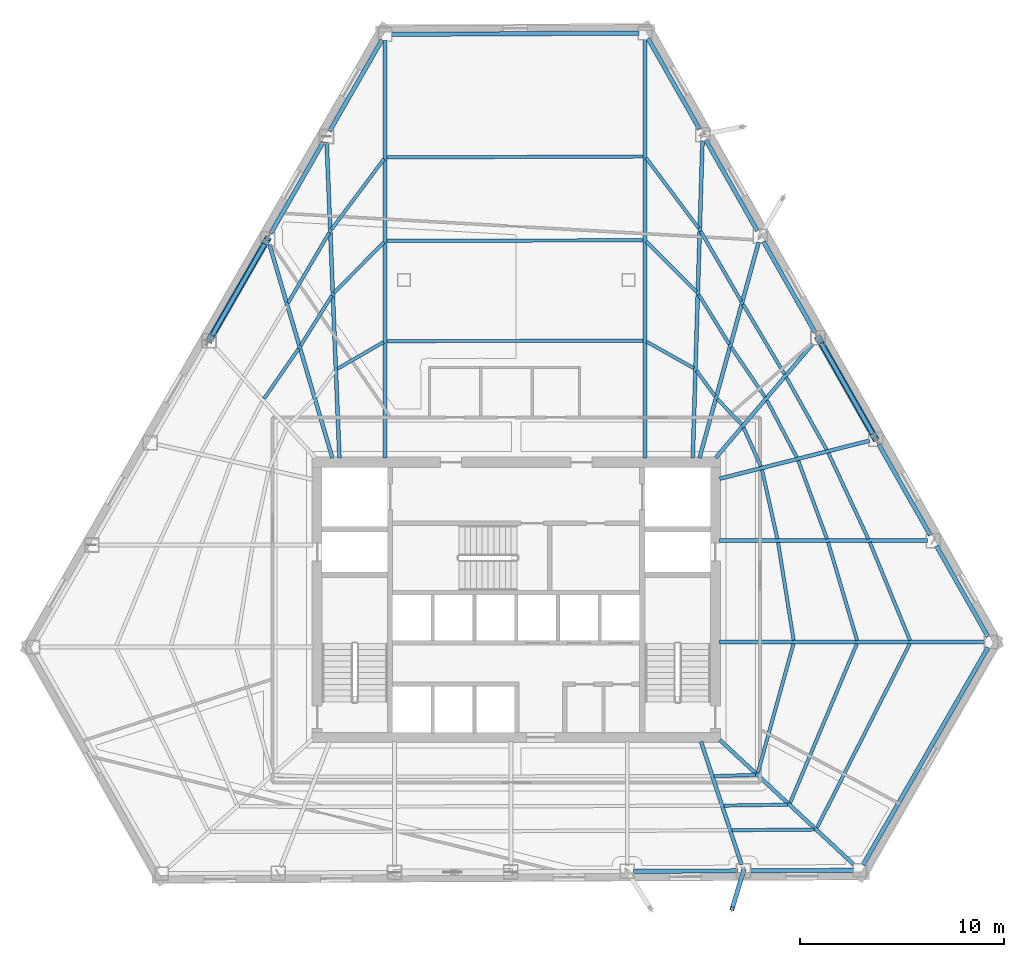
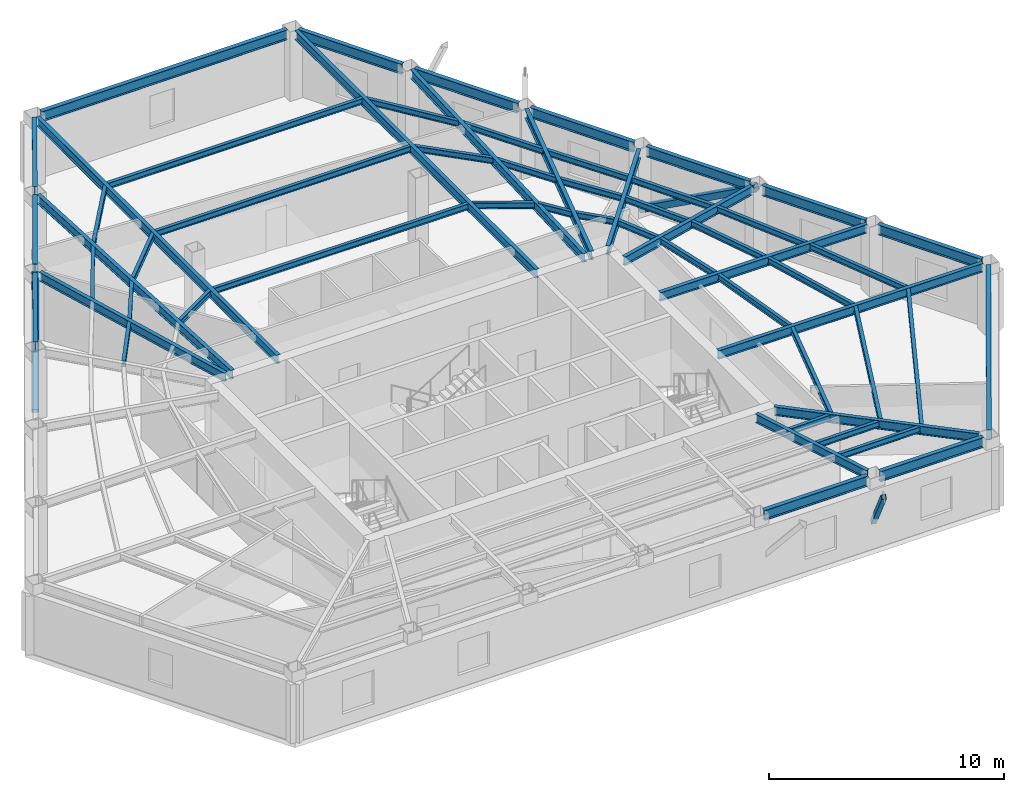
# One storey, part 2 of 13: 58 beams, 3 members.
"""IFC4 building model written with IfcOpenShell, lengths in metres."""

from ifc_helpers import new_model, si_unit, direction, frame, origin, origin_2d, place, context, subcontext, project, spatial, hollow_rectangle, i_section, extrude, material, material_profile, profile_set, type_object, element, save


model = new_model("IFC4")

# Units and contexts
model_context = context("Model", 3, precision=1e-05, world=origin(), true_north=direction((0.0, 1.0)))
body_context = subcontext(model_context, "Body", "Model", "MODEL_VIEW")
ifc_project = project(units=[si_unit("LENGTHUNIT", "METRE"), si_unit("AREAUNIT", "SQUARE_METRE"), si_unit("VOLUMEUNIT", "CUBIC_METRE"), si_unit("PLANEANGLEUNIT", "RADIAN"), si_unit("MASSUNIT", "GRAM", prefix="KILO")], contexts=[model_context])

# Site, building, storey
site_placement = place(None, origin())
site = spatial("IfcSite", under=ifc_project, at=site_placement, CompositionType="ELEMENT")
building_placement = place(site_placement, origin())
building = spatial("IfcBuilding", under=site, at=building_placement, Name="Kavelnor Concourse Tower", CompositionType="ELEMENT")
storey_placement = place(building_placement, frame((0.0, 0.0, 85.5)))
storey = spatial("IfcBuildingStorey", under=building, at=storey_placement, Name="L21", CompositionType="ELEMENT", Elevation=85.5)

# Beams
ifc_material = material(Name="Steel Grade 350", Category="steel")
ifc_material_profile_1 = material_profile(ifc_material, i_section(OverallWidth=0.166015625, OverallDepth=0.306884765625, WebThickness=0.006591796875, FlangeThickness=0.01171875, at=origin_2d()), Name="310UB46")
ifc_profile_set_1 = profile_set([ifc_material_profile_1], Name="Steel Grade 350")
beam_type_1 = type_object("IfcBeamType", Name="BM-JOIST-310", PredefinedType="JOIST", material=ifc_profile_set_1)
beam_1_placement = place(storey_placement, frame((47.71337890625, 7.452392578125, 3.446533203125), z_axis=(0.999538965759, 0.030362080445, 0.0), x_axis=(-0.030362080445, 0.999538965759, 0.0)))
element("IfcBeam", 1, at=beam_1_placement, inside=storey, type_object=beam_type_1, Name="L21 Secondary Composite Joist 07-1", PredefinedType="JOIST", context=body_context, shape_type="SweptSolid", body=[
    extrude(i_section(OverallWidth=0.166015625, OverallDepth=0.306884765625, WebThickness=0.006591796875, FlangeThickness=0.01171875, at=origin_2d()), origin(), (0.0, 0.0, 1.0), 2.0263671875),
])
beam_2_placement = place(storey_placement, frame((48.189697265625, 6.003662109375, 3.446533203125), z_axis=(0.999886255622, 0.015082301472, 0.0), x_axis=(-0.015082301472, 0.999886255622, 0.0)))
element("IfcBeam", 2, at=beam_2_placement, inside=storey, type_object=beam_type_1, Name="L21 Secondary Composite Joist 07-2", PredefinedType="JOIST", context=body_context, shape_type="SweptSolid", body=[
    extrude(i_section(OverallWidth=0.166015625, OverallDepth=0.306884765625, WebThickness=0.006591796875, FlangeThickness=0.01171875, at=origin_2d()), origin(), (0.0, 0.0, 1.0), 3.1240234375),
])
beam_3_placement = place(storey_placement, frame((48.5869140625, 4.797119140625, 3.446533203125), z_axis=(0.999964188154, 0.008463002439, 0.0), x_axis=(-0.008463002439, 0.999964188154, 0.0)))
element("IfcBeam", 3, at=beam_3_placement, inside=storey, type_object=beam_type_1, Name="L21 Secondary Composite Joist 07-3", PredefinedType="JOIST", context=body_context, shape_type="SweptSolid", body=[
    extrude(i_section(OverallWidth=0.166015625, OverallDepth=0.306884765625, WebThickness=0.006591796875, FlangeThickness=0.01171875, at=origin_2d()), origin(), (0.0, 0.0, 1.0), 4.038818359375),
])
beam_4_placement = place(storey_placement, frame((49.8515625, 7.6025390625, 3.446533203125), z_axis=(0.266075321136, 0.963952241287, 0.0), x_axis=(-0.963952241287, 0.266075321136, 0.0)))
element("IfcBeam", 4, at=beam_4_placement, inside=storey, type_object=beam_type_1, Name="L21 Secondary Composite Joist 08-1", PredefinedType="JOIST", context=body_context, shape_type="SweptSolid", body=[
    extrude(i_section(OverallWidth=0.166015625, OverallDepth=0.306884765625, WebThickness=0.006591796875, FlangeThickness=0.01171875, at=origin_2d()), origin(), (0.0, 0.0, 1.0), 6.576171875),
])
beam_5_placement = place(storey_placement, frame((51.43701171875, 6.13427734375, 3.446533203125), z_axis=(0.386951213805, 0.922100188773, 0.0), x_axis=(-0.922100188773, 0.386951213805, 0.0)))
element("IfcBeam", 5, at=beam_5_placement, inside=storey, type_object=beam_type_1, Name="L21 Secondary Composite Joist 08-2", PredefinedType="JOIST", context=body_context, shape_type="SweptSolid", body=[
    extrude(i_section(OverallWidth=0.166015625, OverallDepth=0.306884765625, WebThickness=0.006591796875, FlangeThickness=0.01171875, at=origin_2d()), origin(), (0.0, 0.0, 1.0), 8.470947265625),
])
beam_6_placement = place(storey_placement, frame((52.754638671875, 4.911376953125, 3.446533203125), z_axis=(0.450356328933, 0.892848910505, 0.0), x_axis=(-0.892848910505, 0.450356328933, 0.0)))
element("IfcBeam", 6, at=beam_6_placement, inside=storey, type_object=beam_type_1, Name="L21 Secondary Composite Joist 08-3", PredefinedType="JOIST", context=body_context, shape_type="SweptSolid", body=[
    extrude(i_section(OverallWidth=0.166015625, OverallDepth=0.306884765625, WebThickness=0.006591796875, FlangeThickness=0.01171875, at=origin_2d()), origin(), (0.0, 0.0, 1.0), 10.12109375),
])
beam_7_placement = place(storey_placement, frame((51.611083984375, 14.115478515625, 3.446533203125), z_axis=(-0.15719960241, 0.987566850903, 0.0), x_axis=(-0.987566850903, -0.15719960241, 0.0)))
element("IfcBeam", 7, at=beam_7_placement, inside=storey, type_object=beam_type_1, Name="L21 Secondary Composite Joist 09-1", PredefinedType="JOIST", context=body_context, shape_type="SweptSolid", body=[
    extrude(i_section(OverallWidth=0.166015625, OverallDepth=0.306884765625, WebThickness=0.006591796875, FlangeThickness=0.01171875, at=origin_2d()), origin(), (0.0, 0.0, 1.0), 4.8642578125),
])
beam_8_placement = place(storey_placement, frame((54.72412109375, 14.11279296875, 3.446533203125), z_axis=(-0.283441797349, 0.958989440774, 0.0), x_axis=(-0.958989440774, -0.283441797349, 0.0)))
element("IfcBeam", 8, at=beam_8_placement, inside=storey, type_object=beam_type_1, Name="L21 Secondary Composite Joist 09-2", PredefinedType="JOIST", context=body_context, shape_type="SweptSolid", body=[
    extrude(i_section(OverallWidth=0.166015625, OverallDepth=0.306884765625, WebThickness=0.006591796875, FlangeThickness=0.01171875, at=origin_2d()), origin(), (0.0, 0.0, 1.0), 5.0146484375),
])
beam_9_placement = place(storey_placement, frame((57.319091796875, 14.10986328125, 3.446533203125), z_axis=(-0.378709590515, 0.925515556894, 0.0), x_axis=(-0.925515556894, -0.378709590515, 0.0)))
element("IfcBeam", 9, at=beam_9_placement, inside=storey, type_object=beam_type_1, Name="L21 Secondary Composite Joist 09-3", PredefinedType="JOIST", context=body_context, shape_type="SweptSolid", body=[
    extrude(i_section(OverallWidth=0.166015625, OverallDepth=0.306884765625, WebThickness=0.006591796875, FlangeThickness=0.01171875, at=origin_2d()), origin(), (0.0, 0.0, 1.0), 5.202392578125),
])
beam_10_placement = place(storey_placement, frame((50.813232421875, 19.093994140625, 3.446533203125), z_axis=(-0.21715397229, 0.976137363448, 0.0), x_axis=(-0.976137363448, -0.21715397229, 0.0)))
element("IfcBeam", 10, at=beam_10_placement, inside=storey, type_object=beam_type_1, Name="L21 Secondary Composite Joist 10-1", PredefinedType="JOIST", context=body_context, shape_type="SweptSolid", body=[
    extrude(i_section(OverallWidth=0.166015625, OverallDepth=0.306884765625, WebThickness=0.006591796875, FlangeThickness=0.01171875, at=origin_2d()), origin(), (0.0, 0.0, 1.0), 3.469482421875),
])
beam_11_placement = place(storey_placement, frame((53.246826171875, 19.0908203125, 3.446533203125), z_axis=(-0.34470694701, 0.938710349726, 0.0), x_axis=(-0.938710349726, -0.34470694701, 0.0)))
element("IfcBeam", 11, at=beam_11_placement, inside=storey, type_object=beam_type_1, Name="L21 Secondary Composite Joist 10-2", PredefinedType="JOIST", context=body_context, shape_type="SweptSolid", body=[
    extrude(i_section(OverallWidth=0.166015625, OverallDepth=0.306884765625, WebThickness=0.006591796875, FlangeThickness=0.01171875, at=origin_2d()), origin(), (0.0, 0.0, 1.0), 4.091552734375),
])
beam_12_placement = place(storey_placement, frame((55.277587890625, 19.087890625, 3.446533203125), z_axis=(-0.421857117619, 0.906662325408, 0.0), x_axis=(-0.906662325408, -0.421857117619, 0.0)))
element("IfcBeam", 12, at=beam_12_placement, inside=storey, type_object=beam_type_1, Name="L21 Secondary Composite Joist 10-3", PredefinedType="JOIST", context=body_context, shape_type="SweptSolid", body=[
    extrude(i_section(OverallWidth=0.166015625, OverallDepth=0.306884765625, WebThickness=0.006591796875, FlangeThickness=0.01171875, at=origin_2d()), origin(), (0.0, 0.0, 1.0), 4.654052734375),
])
beam_13_placement = place(storey_placement, frame((50.00439453125, 22.648681640625, 3.446533203125), z_axis=(-0.407582846718, 0.913168233712, 0.0), x_axis=(-0.913168233712, -0.407582846718, 0.0)))
element("IfcBeam", 13, at=beam_13_placement, inside=storey, type_object=beam_type_1, Name="L21 Secondary Composite Joist 11-1", PredefinedType="JOIST", context=body_context, shape_type="SweptSolid", body=[
    extrude(i_section(OverallWidth=0.166015625, OverallDepth=0.306884765625, WebThickness=0.006591796875, FlangeThickness=0.01171875, at=origin_2d()), origin(), (0.0, 0.0, 1.0), 2.085205078125),
])
beam_14_placement = place(storey_placement, frame((51.7646484375, 23.093994140625, 3.446533203125), z_axis=(-0.462898520648, 0.886411281281, 0.0), x_axis=(-0.886411281281, -0.462898520648, 0.0)))
element("IfcBeam", 14, at=beam_14_placement, inside=storey, type_object=beam_type_1, Name="L21 Secondary Composite Joist 11-2", PredefinedType="JOIST", context=body_context, shape_type="SweptSolid", body=[
    extrude(i_section(OverallWidth=0.166015625, OverallDepth=0.306884765625, WebThickness=0.006591796875, FlangeThickness=0.01171875, at=origin_2d()), origin(), (0.0, 0.0, 1.0), 3.161376953125),
])
beam_15_placement = place(storey_placement, frame((53.2333984375, 23.466064453125, 3.446533203125), z_axis=(-0.486948440203, 0.873430716533, 0.0), x_axis=(-0.873430716533, -0.486948440203, 0.0)))
element("IfcBeam", 15, at=beam_15_placement, inside=storey, type_object=beam_type_1, Name="L21 Secondary Composite Joist 11-3", PredefinedType="JOIST", context=body_context, shape_type="SweptSolid", body=[
    extrude(i_section(OverallWidth=0.166015625, OverallDepth=0.306884765625, WebThickness=0.006591796875, FlangeThickness=0.01171875, at=origin_2d()), origin(), (0.0, 0.0, 1.0), 4.06298828125),
])
beam_16_placement = place(storey_placement, frame((49.05712890625, 24.69873046875, 3.446533203125), z_axis=(-0.686330023268, 0.727290244099, 0.0), x_axis=(-0.727290244099, -0.686330023268, 0.0)))
element("IfcBeam", 16, at=beam_16_placement, inside=storey, type_object=beam_type_1, Name="L21 Secondary Composite Joist 12-1", PredefinedType="JOIST", context=body_context, shape_type="SweptSolid", body=[
    extrude(i_section(OverallWidth=0.166015625, OverallDepth=0.306884765625, WebThickness=0.006591796875, FlangeThickness=0.01171875, at=origin_2d()), origin(), (0.0, 0.0, 1.0), 1.734375),
])
beam_17_placement = place(storey_placement, frame((50.2099609375, 26.048583984375, 3.446533203125), z_axis=(-0.561665208661, 0.82736460728, 0.0), x_axis=(-0.82736460728, -0.561665208661, 0.0)))
element("IfcBeam", 17, at=beam_17_placement, inside=storey, type_object=beam_type_1, Name="L21 Secondary Composite Joist 12-2", PredefinedType="JOIST", context=body_context, shape_type="SweptSolid", body=[
    extrude(i_section(OverallWidth=0.166015625, OverallDepth=0.306884765625, WebThickness=0.006591796875, FlangeThickness=0.01171875, at=origin_2d()), origin(), (0.0, 0.0, 1.0), 2.952392578125),
])
beam_18_placement = place(storey_placement, frame((51.166015625, 27.169189453125, 3.446533203125), z_axis=(-0.510274696382, 0.860011473315, 0.0), x_axis=(-0.860011473315, -0.510274696382, 0.0)))
element("IfcBeam", 18, at=beam_18_placement, inside=storey, type_object=beam_type_1, Name="L21 Secondary Composite Joist 12-3", PredefinedType="JOIST", context=body_context, shape_type="SweptSolid", body=[
    extrude(i_section(OverallWidth=0.166015625, OverallDepth=0.306884765625, WebThickness=0.006591796875, FlangeThickness=0.01171875, at=origin_2d()), origin(), (0.0, 0.0, 1.0), 3.9951171875),
])
beam_19_placement = place(storey_placement, frame((47.75341796875, 26.096923828125, 3.446533203125), z_axis=(-0.587117888537, 0.809501442223, 0.0), x_axis=(-0.809501442223, -0.587117888537, 0.0)))
element("IfcBeam", 19, at=beam_19_placement, inside=storey, type_object=beam_type_1, Name="L21 Secondary Composite Joist 13-1", PredefinedType="JOIST", context=body_context, shape_type="SweptSolid", body=[
    extrude(i_section(OverallWidth=0.166015625, OverallDepth=0.306884765625, WebThickness=0.006591796875, FlangeThickness=0.01171875, at=origin_2d()), origin(), (0.0, 0.0, 1.0), 1.54345703125),
])
beam_20_placement = place(storey_placement, frame((48.455078125, 28.640625, 3.446533203125), z_axis=(-0.523835639231, 0.851819360587, 0.0), x_axis=(-0.851819360587, -0.523835639231, 0.0)))
element("IfcBeam", 20, at=beam_20_placement, inside=storey, type_object=beam_type_1, Name="L21 Secondary Composite Joist 13-2", PredefinedType="JOIST", context=body_context, shape_type="SweptSolid", body=[
    extrude(i_section(OverallWidth=0.166015625, OverallDepth=0.306884765625, WebThickness=0.006591796875, FlangeThickness=0.01171875, at=origin_2d()), origin(), (0.0, 0.0, 1.0), 2.862060546875),
])
beam_21_placement = place(storey_placement, frame((49.037353515625, 30.758544921875, 3.446533203125), z_axis=(-0.501320111605, 0.865261894284, 0.0), x_axis=(-0.865261894284, -0.501320111605, 0.0)))
element("IfcBeam", 21, at=beam_21_placement, inside=storey, type_object=beam_type_1, Name="L21 Secondary Composite Joist 13-3", PredefinedType="JOIST", context=body_context, shape_type="SweptSolid", body=[
    extrude(i_section(OverallWidth=0.166015625, OverallDepth=0.306884765625, WebThickness=0.006591796875, FlangeThickness=0.01171875, at=origin_2d()), origin(), (0.0, 0.0, 1.0), 3.966552734375),
])
beam_22_placement = place(storey_placement, frame((46.71728515625, 27.462158203125, 3.446533203125), z_axis=(-0.871504591217, 0.490387344338, 0.0), x_axis=(-0.490387344338, -0.871504591217, 0.0)))
element("IfcBeam", 22, at=beam_22_placement, inside=storey, type_object=beam_type_1, Name="L21 Secondary Composite Joist 14-1", PredefinedType="JOIST", context=body_context, shape_type="SweptSolid", body=[
    extrude(i_section(OverallWidth=0.166015625, OverallDepth=0.306884765625, WebThickness=0.006591796875, FlangeThickness=0.01171875, at=origin_2d()), origin(), (0.0, 0.0, 1.0), 2.66552734375),
])
beam_23_placement = place(storey_placement, frame((46.84619140625, 31.21728515625, 3.446533203125), z_axis=(-0.70752684451, 0.706686468173, 0.0), x_axis=(-0.706686468173, -0.70752684451, 0.0)))
element("IfcBeam", 23, at=beam_23_placement, inside=storey, type_object=beam_type_1, Name="L21 Secondary Composite Joist 14-2", PredefinedType="JOIST", context=body_context, shape_type="SweptSolid", body=[
    extrude(i_section(OverallWidth=0.166015625, OverallDepth=0.306884765625, WebThickness=0.006591796875, FlangeThickness=0.01171875, at=origin_2d()), origin(), (0.0, 0.0, 1.0), 3.486083984375),
])
beam_24_placement = place(storey_placement, frame((46.950927734375, 34.3388671875, 3.446533203125), z_axis=(-0.59980025593, 0.800149769097, 0.0), x_axis=(-0.800149769097, -0.59980025593, 0.0)))
element("IfcBeam", 24, at=beam_24_placement, inside=storey, type_object=beam_type_1, Name="L21 Secondary Composite Joist 14-3", PredefinedType="JOIST", context=body_context, shape_type="SweptSolid", body=[
    extrude(i_section(OverallWidth=0.166015625, OverallDepth=0.306884765625, WebThickness=0.006591796875, FlangeThickness=0.01171875, at=origin_2d()), origin(), (0.0, 0.0, 1.0), 4.302734375),
])
for number, where, z_axis, x_axis, name in (
    (25, (44.2275390625, 28.812744140625, 3.446533203125), (-0.999999022186, -0.001398437043, 0.0), (0.001398437043, -0.999999022186, 0.0), "L21 Secondary Composite Joist 15-1"),
    (26, (44.2275390625, 33.74365234375, 3.446533203125), (-0.999996663487, -0.002583217889, 0.0), (0.002583217889, -0.999996663487, 0.0), "L21 Secondary Composite Joist 15-2"),
    (27, (44.2275390625, 37.852783203125, 3.446533203125), (-0.999993544484, -0.003593186609, 0.0), (0.003593186609, -0.999993544484, 0.0), "L21 Secondary Composite Joist 15-3"),
):
    element("IfcBeam", number, at=place(storey_placement, frame(where, z_axis=z_axis, x_axis=x_axis)), inside=storey, type_object=beam_type_1, Name=name, PredefinedType="JOIST", context=body_context, shape_type="SweptSolid", body=[
        extrude(i_section(OverallWidth=0.166015625, OverallDepth=0.306884765625, WebThickness=0.006591796875, FlangeThickness=0.01171875, at=origin_2d()), origin(), (0.0, 0.0, 1.0), 12.56982421875),
    ])
beam_25_placement = place(storey_placement, frame((31.49169921875, 28.75048828125, 3.446533203125), z_axis=(-0.865010950482, -0.501752982598, 0.0), x_axis=(0.501752982598, -0.865010950482, 0.0)))
element("IfcBeam", 28, at=beam_25_placement, inside=storey, type_object=beam_type_1, Name="L21 Secondary Composite Joist 16-1", PredefinedType="JOIST", context=body_context, shape_type="SweptSolid", body=[
    extrude(i_section(OverallWidth=0.166015625, OverallDepth=0.306884765625, WebThickness=0.006591796875, FlangeThickness=0.01171875, at=origin_2d()), origin(), (0.0, 0.0, 1.0), 2.61767578125),
])
beam_26_placement = place(storey_placement, frame((31.506103515625, 33.6474609375, 3.446533203125), z_axis=(-0.702073180725, -0.712104801912, 0.0), x_axis=(0.712104801912, -0.702073180725, 0.0)))
element("IfcBeam", 29, at=beam_26_placement, inside=storey, type_object=beam_type_1, Name="L21 Secondary Composite Joist 16-2", PredefinedType="JOIST", context=body_context, shape_type="SweptSolid", body=[
    extrude(i_section(OverallWidth=0.166015625, OverallDepth=0.306884765625, WebThickness=0.006591796875, FlangeThickness=0.01171875, at=origin_2d()), origin(), (0.0, 0.0, 1.0), 3.480224609375),
])
beam_27_placement = place(storey_placement, frame((31.515380859375, 37.736083984375, 3.446533203125), z_axis=(-0.598309052868, -0.801265422477, 0.0), x_axis=(0.801265422477, -0.598309052868, 0.0)))
element("IfcBeam", 30, at=beam_27_placement, inside=storey, type_object=beam_type_1, Name="L21 Secondary Composite Joist 16-3", PredefinedType="JOIST", context=body_context, shape_type="SweptSolid", body=[
    extrude(i_section(OverallWidth=0.166015625, OverallDepth=0.306884765625, WebThickness=0.006591796875, FlangeThickness=0.01171875, at=origin_2d()), origin(), (0.0, 0.0, 1.0), 4.3232421875),
])
beam_28_placement = place(storey_placement, frame((28.953125, 31.030517578125, 3.446533203125), z_axis=(-0.528996872654, -0.848623773366, 0.0), x_axis=(0.848623773366, -0.528996872654, 0.0)))
element("IfcBeam", 31, at=beam_28_placement, inside=storey, type_object=beam_type_1, Name="L21 Secondary Composite Joist 17-2", PredefinedType="JOIST", context=body_context, shape_type="SweptSolid", body=[
    extrude(i_section(OverallWidth=0.166015625, OverallDepth=0.306884765625, WebThickness=0.006591796875, FlangeThickness=0.01171875, at=origin_2d()), origin(), (0.0, 0.0, 1.0), 2.891845703125),
])
beam_29_placement = place(storey_placement, frame((28.830322265625, 34.123779296875, 3.446533203125), z_axis=(-0.50582590056, -0.86263558837, 0.0), x_axis=(0.86263558837, -0.50582590056, 0.0)))
element("IfcBeam", 32, at=beam_29_placement, inside=storey, type_object=beam_type_1, Name="L21 Secondary Composite Joist 17-3", PredefinedType="JOIST", context=body_context, shape_type="SweptSolid", body=[
    extrude(i_section(OverallWidth=0.166015625, OverallDepth=0.306884765625, WebThickness=0.006591796875, FlangeThickness=0.01171875, at=origin_2d()), origin(), (0.0, 0.0, 1.0), 4.004150390625),
])
beam_30_placement = place(storey_placement, frame((27.32568359375, 28.427734375, 3.446533203125), z_axis=(-0.568772519164, -0.822494876242, 0.0), x_axis=(0.822494876242, -0.568772519164, 0.0)))
element("IfcBeam", 33, at=beam_30_placement, inside=storey, type_object=beam_type_1, Name="L21 Secondary Composite Joist 18-2", PredefinedType="JOIST", context=body_context, shape_type="SweptSolid", body=[
    extrude(i_section(OverallWidth=0.166015625, OverallDepth=0.306884765625, WebThickness=0.006591796875, FlangeThickness=0.01171875, at=origin_2d()), origin(), (0.0, 0.0, 1.0), 2.98974609375),
])
ifc_material_profile_2 = material_profile(ifc_material, i_section(OverallWidth=0.18994140625, OverallDepth=0.4541015625, WebThickness=0.008544921875, FlangeThickness=0.0126953125, at=origin_2d()), Name="460UB67")
ifc_profile_set_2 = profile_set([ifc_material_profile_2], Name="Steel Grade 350")
beam_type_2 = type_object("IfcBeamType", Name="BM-PRIMARY-460", PredefinedType="BEAM", material=ifc_profile_set_2)
beam_31_placement = place(storey_placement, frame((31.568603515625, 23.06005859375, 3.373046875), z_axis=(0.0, 1.0, 0.0), x_axis=(-1.0, 0.0, 0.0)))
element("IfcBeam", 34, at=beam_31_placement, inside=storey, type_object=beam_type_2, Name="L21 Primary Floor Girder F0-B0", PredefinedType="BEAM", context=body_context, shape_type="SweptSolid", body=[
    extrude(i_section(OverallWidth=0.18994140625, OverallDepth=0.4541015625, WebThickness=0.008544921875, FlangeThickness=0.0126953125, at=origin_2d()), origin(), (0.0, 0.0, 1.0), 20.482421875),
])
beam_32_placement = place(storey_placement, frame((29.3251953125, 23.06005859375, 3.373046875), z_axis=(-0.040344549787, 0.999185827213, 0.0), x_axis=(-0.999185827213, -0.040344549787, 0.0)))
element("IfcBeam", 35, at=beam_32_placement, inside=storey, type_object=beam_type_2, Name="L21 Primary Floor Girder F0-B1", PredefinedType="BEAM", context=body_context, shape_type="SweptSolid", body=[
    extrude(i_section(OverallWidth=0.18994140625, OverallDepth=0.4541015625, WebThickness=0.008544921875, FlangeThickness=0.0126953125, at=origin_2d()), origin(), (0.0, 0.0, 1.0), 15.485595703125),
])
beam_33_placement = place(storey_placement, frame((28.978759765625, 23.0615234375, 3.373046875), z_axis=(-0.282609928199, 0.959234918299, 0.0), x_axis=(-0.959234918299, -0.282609928199, 0.0)))
element("IfcBeam", 36, at=beam_33_placement, inside=storey, type_object=beam_type_2, Name="L21 Primary Floor Girder F0-B2", PredefinedType="BEAM", context=body_context, shape_type="SweptSolid", body=[
    extrude(i_section(OverallWidth=0.18994140625, OverallDepth=0.4541015625, WebThickness=0.008544921875, FlangeThickness=0.0126953125, at=origin_2d()), origin(), (0.0, 0.0, 1.0), 10.90478515625),
])
beam_34_placement = place(storey_placement, frame((47.068359375, 9.137939453125, 3.373046875), z_axis=(0.312764599923, -0.94983067177, 0.0), x_axis=(0.94983067177, 0.312764599923, 0.0)))
element("IfcBeam", 37, at=beam_34_placement, inside=storey, type_object=beam_type_2, Name="L21 Primary Floor Girder F1-B5", PredefinedType="BEAM", context=body_context, shape_type="SweptSolid", body=[
    extrude(i_section(OverallWidth=0.18994140625, OverallDepth=0.4541015625, WebThickness=0.008544921875, FlangeThickness=0.0126953125, at=origin_2d()), origin(), (0.0, 0.0, 1.0), 6.3486328125),
])
beam_35_placement = place(storey_placement, frame((47.99072265625, 9.22509765625, 3.373046875), z_axis=(0.732269212246, -0.681015272072, 0.0), x_axis=(0.681015272072, 0.732269212246, 0.0)))
element("IfcBeam", 38, at=beam_35_placement, inside=storey, type_object=beam_type_2, Name="L21 Primary Floor Girder F1-B6", PredefinedType="BEAM", context=body_context, shape_type="SweptSolid", body=[
    extrude(i_section(OverallWidth=0.18994140625, OverallDepth=0.4541015625, WebThickness=0.008544921875, FlangeThickness=0.0126953125, at=origin_2d()), origin(), (0.0, 0.0, 1.0), 8.9599609375),
])
beam_36_placement = place(storey_placement, frame((47.97998046875, 14.027587890625, 3.373046875), z_axis=(1.0, 0.0, 0.0), x_axis=(0.0, 1.0, 0.0)))
element("IfcBeam", 39, at=beam_36_placement, inside=storey, type_object=beam_type_2, Name="L21 Primary Floor Girder F2-B0", PredefinedType="BEAM", context=body_context, shape_type="SweptSolid", body=[
    extrude(i_section(OverallWidth=0.18994140625, OverallDepth=0.4541015625, WebThickness=0.008544921875, FlangeThickness=0.0126953125, at=origin_2d()), origin(), (0.0, 0.0, 1.0), 13.017822265625),
])
beam_37_placement = place(storey_placement, frame((47.97998046875, 19.007080078125, 3.373046875), z_axis=(1.0, 0.0, 0.0), x_axis=(0.0, 1.0, 0.0)))
element("IfcBeam", 40, at=beam_37_placement, inside=storey, type_object=beam_type_2, Name="L21 Primary Floor Girder F2-B1", PredefinedType="BEAM", context=body_context, shape_type="SweptSolid", body=[
    extrude(i_section(OverallWidth=0.18994140625, OverallDepth=0.4541015625, WebThickness=0.008544921875, FlangeThickness=0.0126953125, at=origin_2d()), origin(), (0.0, 0.0, 1.0), 10.1875),
])
beam_38_placement = place(storey_placement, frame((47.981201171875, 22.045166015625, 3.373046875), z_axis=(0.969307850569, 0.245850138956, 0.0), x_axis=(-0.245850138956, 0.969307850569, 0.0)))
element("IfcBeam", 41, at=beam_38_placement, inside=storey, type_object=beam_type_2, Name="L21 Primary Floor Girder F2-B2", PredefinedType="BEAM", context=body_context, shape_type="SweptSolid", body=[
    extrude(i_section(OverallWidth=0.18994140625, OverallDepth=0.4541015625, WebThickness=0.008544921875, FlangeThickness=0.0126953125, at=origin_2d()), origin(), (0.0, 0.0, 1.0), 7.587890625),
])
beam_39_placement = place(storey_placement, frame((47.7861328125, 23.069580078125, 3.373046875), z_axis=(0.648286506623, 0.76139648366, 0.0), x_axis=(-0.76139648366, 0.648286506623, 0.0)))
element("IfcBeam", 42, at=beam_39_placement, inside=storey, type_object=beam_type_2, Name="L21 Primary Floor Girder F2-B3", PredefinedType="BEAM", context=body_context, shape_type="SweptSolid", body=[
    extrude(i_section(OverallWidth=0.18994140625, OverallDepth=0.4541015625, WebThickness=0.008544921875, FlangeThickness=0.0126953125, at=origin_2d()), origin(), (0.0, 0.0, 1.0), 7.338623046875),
])
beam_40_placement = place(storey_placement, frame((46.9931640625, 23.061279296875, 3.373046875), z_axis=(0.264359589901, 0.964424184282, 0.0), x_axis=(-0.964424184282, 0.264359589901, 0.0)))
element("IfcBeam", 43, at=beam_40_placement, inside=storey, type_object=beam_type_2, Name="L21 Primary Floor Girder F2-B4", PredefinedType="BEAM", context=body_context, shape_type="SweptSolid", body=[
    extrude(i_section(OverallWidth=0.18994140625, OverallDepth=0.4541015625, WebThickness=0.008544921875, FlangeThickness=0.0126953125, at=origin_2d()), origin(), (0.0, 0.0, 1.0), 10.97412109375),
])
beam_41_placement = place(storey_placement, frame((46.66162109375, 23.06005859375, 3.373046875), z_axis=(0.03056962386, 0.999532639836, 0.0), x_axis=(-0.999532639836, 0.03056962386, 0.0)))
element("IfcBeam", 44, at=beam_41_placement, inside=storey, type_object=beam_type_2, Name="L21 Primary Floor Girder F2-B5", PredefinedType="BEAM", context=body_context, shape_type="SweptSolid", body=[
    extrude(i_section(OverallWidth=0.18994140625, OverallDepth=0.4541015625, WebThickness=0.008544921875, FlangeThickness=0.0126953125, at=origin_2d()), origin(), (0.0, 0.0, 1.0), 15.573486328125),
])
beam_42_placement = place(storey_placement, frame((44.316650390625, 23.06005859375, 3.373046875), z_axis=(0.0, 1.0, 0.0), x_axis=(-1.0, 0.0, 0.0)))
element("IfcBeam", 45, at=beam_42_placement, inside=storey, type_object=beam_type_2, Name="L21 Primary Floor Girder F2-B6", PredefinedType="BEAM", context=body_context, shape_type="SweptSolid", body=[
    extrude(i_section(OverallWidth=0.18994140625, OverallDepth=0.4541015625, WebThickness=0.008544921875, FlangeThickness=0.0126953125, at=origin_2d()), origin(), (0.0, 0.0, 1.0), 20.5458984375),
])
ifc_material_profile_3 = material_profile(ifc_material, i_section(OverallWidth=0.208984375, OverallDepth=0.532958984375, WebThickness=0.01025390625, FlangeThickness=0.015625, at=origin_2d()), Name="530UB92")
ifc_profile_set_3 = profile_set([ifc_material_profile_3], Name="Steel Grade 350")
beam_type_3 = type_object("IfcBeamType", Name="BM-SPANDREL-Z2", PredefinedType="SPANDREL", material=ifc_profile_set_3)
for number, where, z_axis, x_axis, name in (
    (46, (31.41650390625, 43.578125, 3.33349609375), (-0.498436512075, -0.866926204143, 0.0), (0.866926204143, -0.498436512075, 0.0), "L21 Perimeter Tube Spandrel Beam F0-B0"),
    (47, (28.536376953125, 38.568603515625, 3.33349609375), (-0.498436512075, -0.866926204143, 0.0), (0.866926204143, -0.498436512075, 0.0), "L21 Perimeter Tube Spandrel Beam F0-B1"),
    (48, (25.656005859375, 33.55908203125, 3.33349609375), (-0.498436512075, -0.866926204143, 0.0), (0.866926204143, -0.498436512075, 0.0), "L21 Perimeter Tube Spandrel Beam F0-B2"),
):
    element("IfcBeam", number, at=place(storey_placement, frame(where, z_axis=z_axis, x_axis=x_axis)), inside=storey, type_object=beam_type_3, Name=name, PredefinedType="SPANDREL", context=body_context, shape_type="SweptSolid", body=[
        extrude(i_section(OverallWidth=0.208984375, OverallDepth=0.532958984375, WebThickness=0.01025390625, FlangeThickness=0.015625, at=origin_2d()), origin(), (0.0, 0.0, 1.0), 5.16845703125),
    ])
beam_43_placement = place(storey_placement, frame((44.01171875, 43.904296875, 3.33349609375), z_axis=(-0.999987659619, -0.004967958323, 0.0), x_axis=(0.004967958323, -0.999987659619, 0.0)))
element("IfcBeam", 49, at=beam_43_placement, inside=storey, type_object=beam_type_3, Name="L21 Chamfer Facet Spandrel Beam C0", PredefinedType="SPANDREL", context=body_context, shape_type="SweptSolid", body=[
    extrude(i_section(OverallWidth=0.208984375, OverallDepth=0.532958984375, WebThickness=0.01025390625, FlangeThickness=0.015625, at=origin_2d()), origin(), (0.0, 0.0, 1.0), 12.138427734375),
])
for number, where, z_axis, x_axis, name in (
    (50, (43.749267578125, 2.779052734375, 3.33349609375), (0.999987602958, 0.004979350316, 0.0), (-0.004979350316, 0.999987602958, 0.0), "L21 Perimeter Tube Spandrel Beam F1-B4"),
    (51, (49.458251953125, 2.8076171875, 3.33349609375), (0.999987602958, 0.004979350316, 0.0), (-0.004979350316, 0.999987602958, 0.0), "L21 Perimeter Tube Spandrel Beam F1-B5"),
):
    element("IfcBeam", number, at=place(storey_placement, frame(where, z_axis=z_axis, x_axis=x_axis)), inside=storey, type_object=beam_type_3, Name=name, PredefinedType="SPANDREL", context=body_context, shape_type="SweptSolid", body=[
        extrude(i_section(OverallWidth=0.208984375, OverallDepth=0.532958984375, WebThickness=0.01025390625, FlangeThickness=0.015625, at=origin_2d()), origin(), (0.0, 0.0, 1.0), 5.09912109375),
    ])
for number, where, z_axis, x_axis, name in (
    (52, (61.147216796875, 14.292724609375, 3.33349609375), (-0.494133984597, 0.869385763207, 0.0), (-0.869385763207, -0.494133984597, 0.0), "L21 Perimeter Tube Spandrel Beam F2-B0"),
    (53, (58.31689453125, 19.2724609375, 3.33349609375), (-0.494133984597, 0.869385763207, 0.0), (-0.869385763207, -0.494133984597, 0.0), "L21 Perimeter Tube Spandrel Beam F2-B1"),
    (54, (55.48681640625, 24.252197265625, 3.33349609375), (-0.494133984597, 0.869385763207, 0.0), (-0.869385763207, -0.494133984597, 0.0), "L21 Perimeter Tube Spandrel Beam F2-B2"),
    (55, (52.656494140625, 29.23193359375, 3.33349609375), (-0.494133984597, 0.869385763207, 0.0), (-0.869385763207, -0.494133984597, 0.0), "L21 Perimeter Tube Spandrel Beam F2-B3"),
    (56, (49.826416015625, 34.211669921875, 3.33349609375), (-0.494133984597, 0.869385763207, 0.0), (-0.869385763207, -0.494133984597, 0.0), "L21 Perimeter Tube Spandrel Beam F2-B4"),
    (57, (46.99609375, 39.19140625, 3.33349609375), (-0.494133984597, 0.869385763207, 0.0), (-0.869385763207, -0.494133984597, 0.0), "L21 Perimeter Tube Spandrel Beam F2-B5"),
):
    element("IfcBeam", number, at=place(storey_placement, frame(where, z_axis=z_axis, x_axis=x_axis)), inside=storey, type_object=beam_type_3, Name=name, PredefinedType="SPANDREL", context=body_context, shape_type="SweptSolid", body=[
        extrude(i_section(OverallWidth=0.208984375, OverallDepth=0.532958984375, WebThickness=0.01025390625, FlangeThickness=0.015625, at=origin_2d()), origin(), (0.0, 0.0, 1.0), 5.11767578125),
    ])
beam_44_placement = place(storey_placement, frame((55.014404296875, 3.098876953125, 3.33349609375), z_axis=(0.498432716608, 0.866928386324, 0.0), x_axis=(-0.866928386324, 0.498432716608, 0.0)))
element("IfcBeam", 58, at=beam_44_placement, inside=storey, type_object=beam_type_3, Name="L21 Chamfer Facet Spandrel Beam C2", PredefinedType="SPANDREL", context=body_context, shape_type="SweptSolid", body=[
    extrude(i_section(OverallWidth=0.208984375, OverallDepth=0.532958984375, WebThickness=0.01025390625, FlangeThickness=0.015625, at=origin_2d()), origin(), (0.0, 0.0, 1.0), 12.30126953125),
])

# Members
ifc_material_profile_4 = material_profile(ifc_material, hollow_rectangle(XDim=0.219970703125, YDim=0.219970703125, WallThickness=0.013916015625, at=origin_2d()), Name="SHS 220x220x14")
ifc_profile_set_4 = profile_set([ifc_material_profile_4], Name="Steel Grade 350")
member_type_1 = type_object("IfcMemberType", Name="MBR-BALC-STRUT-220", PredefinedType="STRUT", material=ifc_profile_set_4)
member_1_placement = place(storey_placement, frame((49.1533203125, 2.805908203125, 1.050048828125), z_axis=(-0.171045826039, -0.571005599642, 0.802929592538), x_axis=(0.957944341459, -0.286954070656, 0.0)))
element("IfcMember", 59, at=member_1_placement, inside=storey, type_object=member_type_1, Name="L21 Tree Balcony Raking Knee Strut 1-B", PredefinedType="STRUT", context=body_context, shape_type="SweptSolid", body=[
    extrude(hollow_rectangle(XDim=0.219970703125, YDim=0.219970703125, WallThickness=0.013916015625, at=origin_2d()), origin(), (0.0, 0.0, 1.0), 3.244384765625),
])
ifc_material_profile_5 = material_profile(ifc_material, hollow_rectangle(XDim=0.320068359375, YDim=0.320068359375, WallThickness=0.01806640625, at=origin_2d()), Name="SHS 320x320x18")
ifc_profile_set_5 = profile_set([ifc_material_profile_5], Name="Steel Grade 350")
member_type_2 = type_object("IfcMemberType", Name="MBR-TUBE-DIAG-Z2", PredefinedType="BRACE", material=ifc_profile_set_5)
member_2_placement = place(storey_placement, frame((22.927978515625, 28.81396484375, 0.219970703125), z_axis=(0.438784439692, 0.763195551245, 0.474342456505), x_axis=(-0.866932318806, 0.498425876746, 0.0)))
element("IfcMember", 60, at=member_2_placement, inside=storey, type_object=member_type_2, Name="L21 Framed-Tube Bracing Diagonal F0-B2", PredefinedType="BRACE", context=body_context, shape_type="SweptSolid", body=[
    extrude(hollow_rectangle(XDim=0.320068359375, YDim=0.320068359375, WallThickness=0.01806640625, at=origin_2d()), origin(), (0.0, 0.0, 1.0), 6.56396484375),
])
member_3_placement = place(storey_placement, frame((52.80712890625, 28.966796875, 0.219970703125), z_axis=(0.434138652346, -0.763833873191, 0.477578731421), x_axis=(0.869387063357, 0.494131697088, 0.0)))
element("IfcMember", 61, at=member_3_placement, inside=storey, type_object=member_type_2, Name="L21 Framed-Tube Bracing Diagonal F2-B2", PredefinedType="BRACE", context=body_context, shape_type="SweptSolid", body=[
    extrude(hollow_rectangle(XDim=0.320068359375, YDim=0.320068359375, WallThickness=0.01806640625, at=origin_2d()), origin(), (0.0, 0.0, 1.0), 6.519287109375),
])

save(model, "model.ifc")
